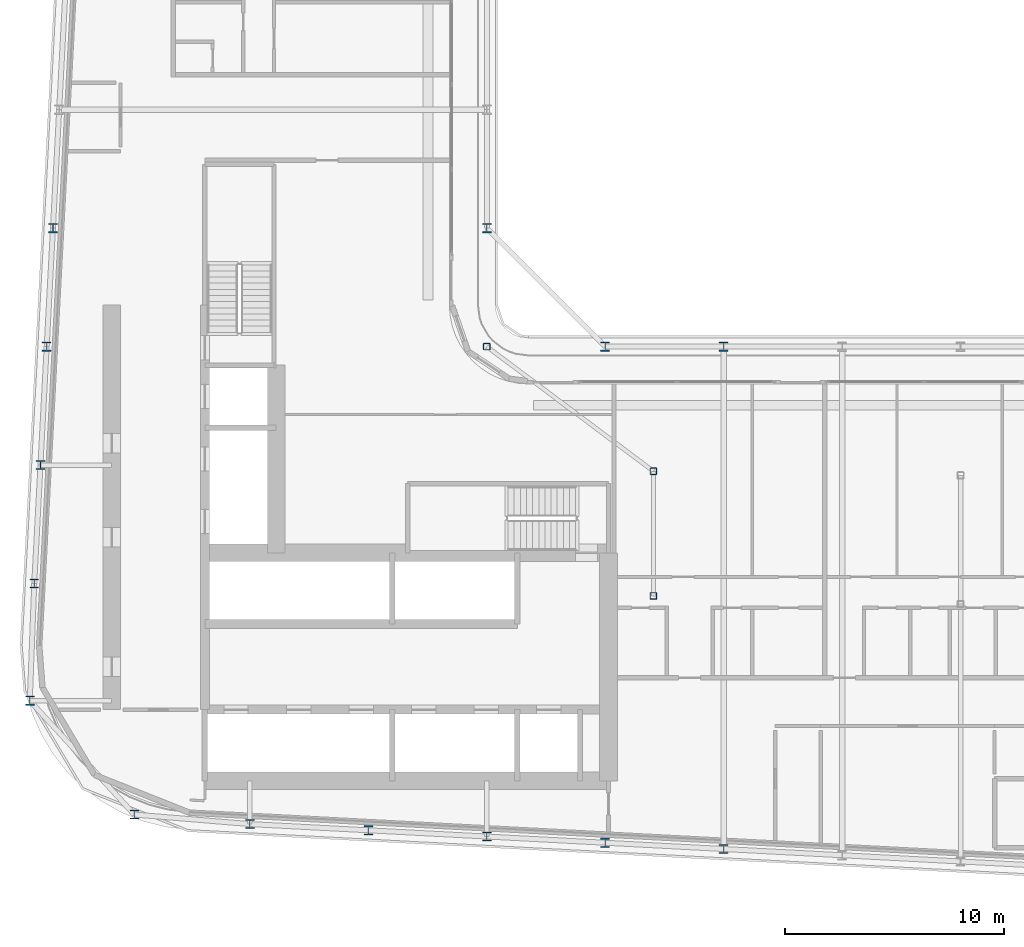
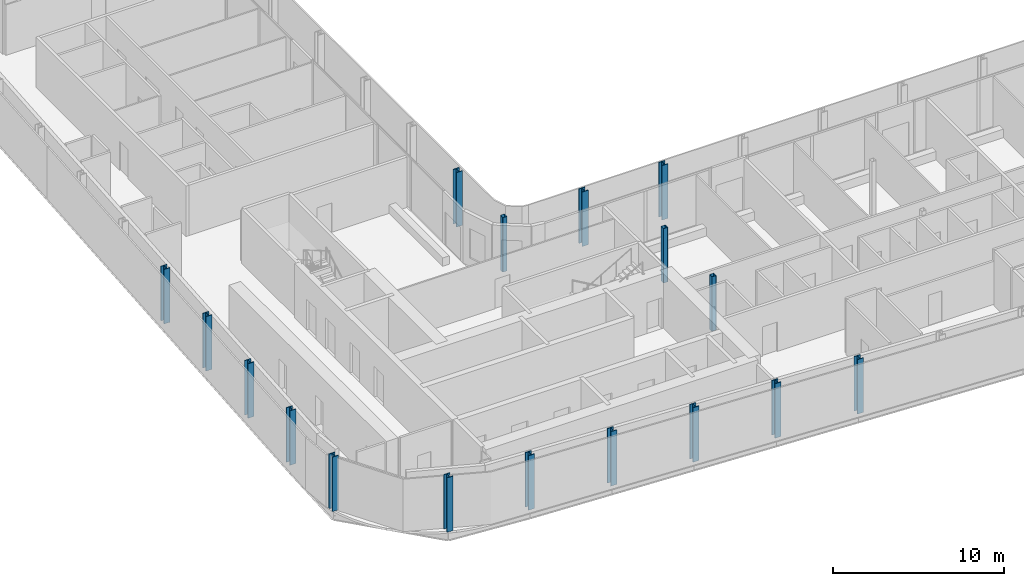
# One storey, part 1 of 29: 17 columns.
"""IFC4 building model written with IfcOpenShell, lengths in metres."""

import ifcopenshell
import ifcopenshell.guid

model = None  # the IFC model being written
_history = None  # IfcOwnerHistory: only IFC2X3 demands one
_inside = {}  # id of a spatial element -> (the spatial element, [elements in it])
_under = {}  # id of a project, library or spatial element -> (it, [spatial elements below it])
_declared = {}  # id of a project -> (the project, [libraries it declares])
_typed = {}  # id of a type object -> (the type object, [elements of that type])
_made_of = {}  # id of a material, layer set ... -> (it, [elements and type objects made of it])


def new_model(schema):
    """Start an empty IFC model of exactly this schema.

    Asked for "IFC4X3", IfcOpenShell would pick the latest addendum, in which some entities
    have other attributes; the version numbers below select the first issue.
    IFC2X3 requires an IfcOwnerHistory on every rooted entity: one is made here for all.
    """
    global model, _history
    if schema == "IFC4X3":
        model = ifcopenshell.file(schema_version=(4, 3, 0, 0))
    else:
        model = ifcopenshell.file(schema=schema)
    _inside.clear()
    _under.clear()
    _declared.clear()
    _typed.clear()
    _made_of.clear()
    _history = None
    if model.schema == "IFC2X3":
        org = make("IfcOrganization", Name="unknown")
        user = make(
            "IfcPersonAndOrganization",
            ThePerson=make("IfcPerson", FamilyName="unknown"),
            TheOrganization=org,
        )
        app = make(
            "IfcApplication",
            ApplicationDeveloper=org,
            Version="unknown",
            ApplicationFullName="unknown",
            ApplicationIdentifier="unknown",
        )
        _history = make(
            "IfcOwnerHistory",
            OwningUser=user,
            OwningApplication=app,
            ChangeAction="ADDED",
            CreationDate=0,
        )
    return model


def make(cls, **values):
    """One entity of the class cls with the attributes given. An attribute that is None is left unset."""
    return model.create_entity(
        cls, **{name: value for name, value in values.items() if value is not None}
    )


def rooted(cls, **values):
    """An entity with a GlobalId (a new one), such as an element, a storey or a relation."""
    return make(cls, GlobalId=ifcopenshell.guid.new(), OwnerHistory=_history, **values)


def si_unit(unit_type, name, prefix=None):
    """IfcSIUnit, for example si_unit("LENGTHUNIT", "METRE", prefix="MILLI")."""
    return make("IfcSIUnit", UnitType=unit_type, Prefix=prefix, Name=name)


def assignment(units):
    """IfcUnitAssignment: the units of a project."""
    return None if units is None else make("IfcUnitAssignment", Units=units)


def point(xyz):
    """IfcCartesianPoint."""
    return None if xyz is None else make("IfcCartesianPoint", Coordinates=xyz)


def direction(xyz):
    """IfcDirection."""
    return None if xyz is None else make("IfcDirection", DirectionRatios=xyz)


def frame(location, z_axis=None, x_axis=None):
    """IfcAxis2Placement3D, a coordinate frame: its origin and axes. An axis left out is left unset."""
    return make(
        "IfcAxis2Placement3D",
        Location=point(location),
        Axis=direction(z_axis),
        RefDirection=direction(x_axis),
    )


def frame_2d(location, x_axis=None):
    """IfcAxis2Placement2D, a coordinate frame in the plane: its origin and x axis."""
    return make(
        "IfcAxis2Placement2D", Location=point(location), RefDirection=direction(x_axis)
    )


def origin():
    """The frame at (0, 0, 0) with its axes left unset."""
    return frame((0.0, 0.0, 0.0))


def origin_2d():
    """The frame at (0, 0) in the plane with its x axis left unset."""
    return frame_2d((0.0, 0.0))


def place(relative_to, where):
    """IfcLocalPlacement: puts the frame where relative to a parent placement (None: the world)."""
    return make(
        "IfcLocalPlacement", PlacementRelTo=relative_to, RelativePlacement=where
    )


def context(
    kind, dimensions, precision=None, world=None, true_north=None, identifier=None
):
    """IfcGeometricRepresentationContext, for example the 3D "Model" context."""
    return make(
        "IfcGeometricRepresentationContext",
        ContextIdentifier=identifier,
        ContextType=kind,
        CoordinateSpaceDimension=dimensions,
        Precision=precision,
        WorldCoordinateSystem=world,
        TrueNorth=true_north,
    )


def subcontext(parent, identifier, kind, view, scale=None):
    """IfcGeometricRepresentationSubContext, for example "Body" below "Model"."""
    return make(
        "IfcGeometricRepresentationSubContext",
        ContextIdentifier=identifier,
        ContextType=kind,
        ParentContext=parent,
        TargetScale=scale,
        TargetView=view,
    )


def project(units=None, contexts=None):
    """IfcProject with its units and contexts."""
    return rooted(
        "IfcProject",
        Name="project",
        RepresentationContexts=contexts,
        UnitsInContext=assignment(units),
    )


def spatial(cls, under=None, at=None, **own):
    """A site, building, storey or space (cls), placed at a placement, below another one or the project."""
    s = rooted(cls, ObjectPlacement=at, **own)
    if under is not None:
        _under.setdefault(under.id(), (under, []))[1].append(s)
    return s


def profile(cls, at=None, kind="AREA", **sizes):
    """A parametric profile (cls). Its sizes go by their IFC names, for example OverallWidth=200.0."""
    return make(cls, ProfileType=kind, Position=at, **sizes)


def hollow_rectangle(**sizes):
    """IfcRectangleHollowProfileDef."""
    return profile("IfcRectangleHollowProfileDef", **sizes)


def i_section(**sizes):
    """IfcIShapeProfileDef."""
    return profile("IfcIShapeProfileDef", **sizes)


def extrude(swept, where, along, depth):
    """IfcExtrudedAreaSolid: the profile swept, set in the frame where, extruded along a direction by depth."""
    return make(
        "IfcExtrudedAreaSolid",
        SweptArea=swept,
        Position=where,
        ExtrudedDirection=direction(along),
        Depth=depth,
    )


def shape(context_of_items, identifier, shape_type, items):
    """IfcShapeRepresentation: the items that make up one representation, for example the "Body"."""
    return make(
        "IfcShapeRepresentation",
        ContextOfItems=context_of_items,
        RepresentationIdentifier=identifier,
        RepresentationType=shape_type,
        Items=items,
    )


def material(Name=None, Category=None):
    """IfcMaterial."""
    return make("IfcMaterial", Name=Name, Category=Category)


def material_profile(
    of_material, cross_section, Name=None, Category=None, Priority=None
):
    """IfcMaterialProfile: a cross section and its material."""
    return make(
        "IfcMaterialProfile",
        Name=Name,
        Material=of_material,
        Profile=cross_section,
        Priority=Priority,
        Category=Category,
    )


def profile_set(profiles, Name=None, composite=None):
    """IfcMaterialProfileSet."""
    return make(
        "IfcMaterialProfileSet",
        Name=Name,
        MaterialProfiles=profiles,
        CompositeProfile=composite,
    )


def made_of(thing, what):
    """Note that an element or type object is made of a material, layer set ...; save() writes the relation."""
    if what is not None:
        _made_of.setdefault(what.id(), (what, []))[1].append(thing)
    return thing


def type_object(cls, material=None, **own):
    """A type object (cls), such as IfcWallType, which elements share."""
    return made_of(rooted(cls, **own), material)


def element(
    cls,
    number,
    at=None,
    inside=None,
    cuts=None,
    type_object=None,
    material=None,
    context=None,
    identifier="Body",
    shape_type=None,
    held_by="IfcProductDefinitionShape",
    body=None,
    shapes=None,
    **own,
):
    """One element of the class cls, such as IfcWall. Its Tag is "e" and its number.

    at: its placement. inside: the storey or other place that contains it. cuts: it is an
    opening in that element (IfcRelVoidsElement). A single representation is given by context,
    identifier, shape_type and body (its items); several are given by shapes. held_by: the class
    of the entity that holds the representations. save() writes the other relations.
    """
    e = rooted(cls, Tag="e%d" % number, ObjectPlacement=at, **own)
    if body is not None:
        shapes = [shape(context, identifier, shape_type, body)]
    if shapes is not None:
        e.Representation = make(held_by, Representations=shapes)
    if inside is not None:
        _inside.setdefault(inside.id(), (inside, []))[1].append(e)
    if cuts is not None:
        rooted(
            "IfcRelVoidsElement", RelatingBuildingElement=cuts, RelatedOpeningElement=e
        )
    if type_object is not None:
        _typed.setdefault(type_object.id(), (type_object, []))[1].append(e)
    return made_of(e, material)


def aggregate(whole, parts):
    """IfcRelAggregates: a whole, such as a stair, and the parts it consists of."""
    return rooted("IfcRelAggregates", RelatingObject=whole, RelatedObjects=parts)


def save(model, path):
    """Write the relations noted so far, then the file.

    IfcRelAggregates (storeys below a building ...), IfcRelContainedInSpatialStructure (elements
    in a storey), IfcRelDefinesByType, IfcRelAssociatesMaterial and IfcRelDeclares: one each for
    every whole, place, type object, material and project.
    """
    for whole, parts in _under.values():
        aggregate(whole, parts)
    for where, things in _inside.values():
        rooted(
            "IfcRelContainedInSpatialStructure",
            RelatedElements=things,
            RelatingStructure=where,
        )
    for kind, things in _typed.values():
        rooted("IfcRelDefinesByType", RelatedObjects=things, RelatingType=kind)
    for what, things in _made_of.values():
        rooted("IfcRelAssociatesMaterial", RelatedObjects=things, RelatingMaterial=what)
    for by, libraries in _declared.values():
        rooted("IfcRelDeclares", RelatingContext=by, RelatedDefinitions=libraries)
    model.write(path)


model = new_model("IFC4")

# Units and contexts
model_context = context("Model", 3, precision=1e-05, world=origin(), true_north=direction((0.0, 1.0)))
body_context = subcontext(model_context, "Body", "Model", "MODEL_VIEW")
ifc_project = project(units=[si_unit("LENGTHUNIT", "METRE"), si_unit("AREAUNIT", "SQUARE_METRE"), si_unit("VOLUMEUNIT", "CUBIC_METRE"), si_unit("PLANEANGLEUNIT", "RADIAN"), si_unit("MASSUNIT", "GRAM", prefix="KILO")], contexts=[model_context])

# Site, building, storey
site_placement = place(None, origin())
site = spatial("IfcSite", under=ifc_project, at=site_placement, CompositionType="ELEMENT")
building_placement = place(site_placement, origin())
building = spatial("IfcBuilding", under=site, at=building_placement, Name="Kheshtan School and Residences Tower", CompositionType="ELEMENT")
storey_placement = place(building_placement, frame((0.0, 0.0, 172.10009765625)))
storey = spatial("IfcBuildingStorey", under=building, at=storey_placement, Name="L40", CompositionType="ELEMENT", Elevation=172.10009765625)

# Columns
ifc_material_1 = material(Name="Steel ASTM A992 Grade 50", Category="steel")
ifc_material_profile_1 = material_profile(ifc_material_1, i_section(OverallWidth=0.408935546875, OverallDepth=0.425048828125, WebThickness=0.03271484375, FlangeThickness=0.052490234375, FilletRadius=0.0126953125, at=origin_2d()), Name="W360x421")
ifc_profile_set_1 = profile_set([ifc_material_profile_1], Name="Steel ASTM A992 Grade 50")
column_type_1 = type_object("IfcColumnType", Name="Column C3 W360x421 ASTM A992 Grade 50", PredefinedType="COLUMN", material=ifc_profile_set_1)
for number, where, z_axis, x_axis, name in (
    (1, (58.39990234375, 22.695068359375, 0.0), (0.0, 0.0, 1.0), (1.0, 0.0, 0.0), "Column C018"),
    (2, (53.0, 22.97998046875, 0.0), (0.0, 0.0, 1.0), (1.0, 0.0, 0.0), "Column C019"),
    (3, (47.60009765625, 23.263916015625, 0.0), (0.0, 0.0, 1.0), (1.0, 0.0, 0.0), "Column C020"),
    (4, (42.199951171875, 23.548095703125, 0.0), (0.0, 0.0, 1.0), (1.0, 0.0, 0.0), "Column C021"),
    (5, (36.800048828125, 23.83203125, 0.0), (0.0, 0.0, 1.0), (1.0, 0.0, 0.0), "Column C022"),
    (6, (31.531982421875, 24.26611328125, 0.0), (0.0, 0.0, 1.0), (1.0, 0.0, 0.0), "Column C026"),
    (7, (26.76611328125, 29.458984375, 0.0), (0.0, 0.0, 1.0), (1.0, 0.0, 0.0), "Column C039"),
    (8, (26.968994140625, 34.800048828125, 0.0), (0.0, 0.0, 1.0), (1.0, 0.0, 0.0), "Column C052"),
    (9, (27.2529296875, 40.199951171875, 0.0), (0.0, 0.0, 1.0), (1.0, 0.0, 0.0), "Column C056"),
    (10, (27.537109375, 45.60009765625, 0.0), (0.0, 0.0, 1.0), (1.0, 0.0, 0.0), "Column C059"),
    (11, (53.0, 45.60009765625, 0.0), (0.0, 0.0, 1.0), (1.0, 0.0, 0.0), "Column C061"),
    (12, (58.39990234375, 45.60009765625, 0.0), (0.0, 0.0, 1.0), (1.0, 0.0, 0.0), "Column C062"),
    (13, (27.822021484375, 51.0, 0.0), (0.0, 0.0, 1.0), (1.0, 0.0, 0.0), "Column C078"),
    (14, (47.60009765625, 51.0, 0.0), (0.0, 0.0, 1.0), (1.0, 0.0, 0.0), "Column C079"),
):
    element("IfcColumn", number, at=place(storey_placement, frame(where, z_axis=z_axis, x_axis=x_axis)), inside=storey, type_object=column_type_1, Name=name, PredefinedType="COLUMN", context=body_context, shape_type="SweptSolid", body=[
        extrude(i_section(OverallWidth=0.408935546875, OverallDepth=0.425048828125, WebThickness=0.03271484375, FlangeThickness=0.052490234375, FilletRadius=0.0126953125, at=origin_2d()), origin(), (0.0, 0.0, 1.0), 3.89990234375),
    ])
ifc_material_2 = material(Name="Steel ASTM A500 Grade C", Category="steel")
ifc_material_profile_2 = material_profile(ifc_material_2, hollow_rectangle(XDim=0.304931640625, YDim=0.304931640625, WallThickness=0.015869140625, InnerFilletRadius=0.015869140625, OuterFilletRadius=0.03173828125, at=origin_2d()), Name="HSS 305x305x15.9")
ifc_profile_set_2 = profile_set([ifc_material_profile_2], Name="Steel ASTM A500 Grade C")
column_type_2 = type_object("IfcColumnType", Name="Column IC2 HSS 305x305x15.9 ASTM A500 Grade C", PredefinedType="COLUMN", material=ifc_profile_set_2)
for number, where, z_axis, x_axis, name in (
    (15, (55.199951171875, 34.23193359375, 0.0), (0.0, 0.0, 1.0), (1.0, 0.0, 0.0), "Column C051"),
    (16, (55.199951171875, 39.916015625, 0.0), (0.0, 0.0, 1.0), (1.0, 0.0, 0.0), "Column C055"),
    (17, (47.60009765625, 45.60009765625, 0.0), (0.0, 0.0, 1.0), (1.0, 0.0, 0.0), "Column C060"),
):
    element("IfcColumn", number, at=place(storey_placement, frame(where, z_axis=z_axis, x_axis=x_axis)), inside=storey, type_object=column_type_2, Name=name, PredefinedType="COLUMN", context=body_context, shape_type="SweptSolid", body=[
        extrude(hollow_rectangle(XDim=0.304931640625, YDim=0.304931640625, WallThickness=0.015869140625, InnerFilletRadius=0.015869140625, OuterFilletRadius=0.03173828125, at=origin_2d()), origin(), (0.0, 0.0, 1.0), 3.89990234375),
    ])

save(model, "model.ifc")
